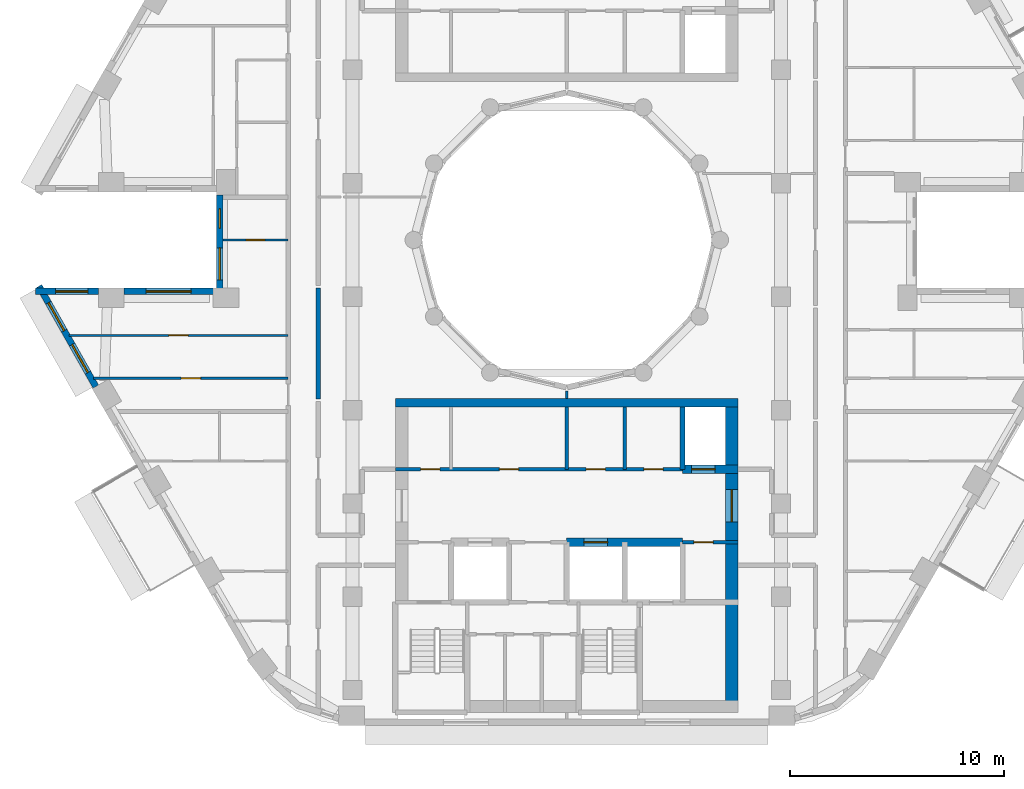
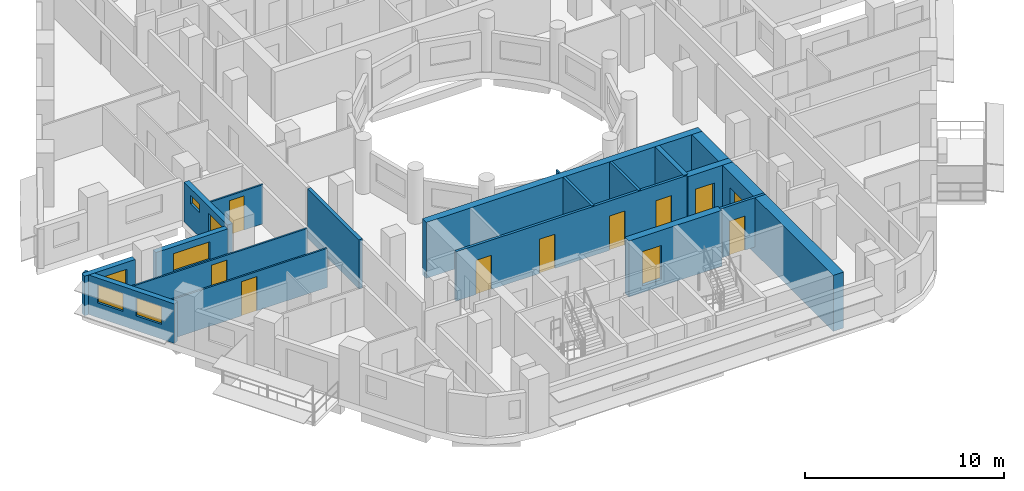
# One storey, part 4 of 18: 18 walls, 11 doors, 6 windows, 17 openings.
"""IFC4 building model written with IfcOpenShell, lengths in metres."""

from ifc_helpers import new_model, si_unit, direction, frame, frame_2d, origin, place, context, subcontext, project, spatial, rectangle, extrude, material, layer, layer_set, type_object, element, fill, save


model = new_model("IFC4")

# Units and contexts
model_context = context("Model", 3, precision=1e-05, world=origin(), true_north=direction((0.0, 1.0)))
body_context = subcontext(model_context, "Body", "Model", "MODEL_VIEW")
ifc_project = project(units=[si_unit("LENGTHUNIT", "METRE"), si_unit("AREAUNIT", "SQUARE_METRE"), si_unit("VOLUMEUNIT", "CUBIC_METRE"), si_unit("PLANEANGLEUNIT", "RADIAN"), si_unit("MASSUNIT", "GRAM", prefix="KILO")], contexts=[model_context])

# Site, building, storey
site_placement = place(None, origin())
site = spatial("IfcSite", under=ifc_project, at=site_placement, CompositionType="ELEMENT")
building_placement = place(site_placement, origin())
building = spatial("IfcBuilding", under=site, at=building_placement, Name="Nakaniwa Court", CompositionType="ELEMENT")
storey_placement = place(building_placement, frame((0.0, 0.0, 176.699951171875)))
storey = spatial("IfcBuildingStorey", under=building, at=storey_placement, Name="L45", CompositionType="ELEMENT", Elevation=176.699951171875)

# Wall
ifc_material_1 = material(Name="Acoustic double stud partition")
ifc_layer_1 = layer(ifc_material_1, 0.199951171875)
ifc_layer_set_1 = layer_set([ifc_layer_1], Name="Acoustic double stud partition")
wall_type_1 = type_object("IfcWallType", Name="Acoustic double stud partition 200", PredefinedType="PARTITIONING", material=ifc_layer_set_1)
wall_1_placement = place(storey_placement, frame((68.39990234375, 72.5771484375, 0.0), z_axis=(0.0, 0.0, 1.0), x_axis=(0.0, 1.0, 0.0)))
element("IfcWall", 1, at=wall_1_placement, inside=storey, type_object=wall_type_1, Name="Partition PW-100", PredefinedType="PARTITIONING", context=body_context, shape_type="SweptSolid", body=[
    extrude(rectangle(XDim=5.185546875, YDim=0.199951171875, at=frame_2d((2.5927734375, 0.0))), origin(), (0.0, 0.0, 1.0), 3.025146484375),
])

# Wall, openings, windows
ifc_material_2 = material(Name="Charcoal ceramic cladding")
ifc_layer_2 = layer(ifc_material_2, 0.02, Name="Ceramic cladding")
ifc_material_3 = material(Name="Ventilated air cavity")
ifc_layer_3 = layer(ifc_material_3, 0.04, ventilated=True, Name="Ventilated cavity")
ifc_material_4 = material(Name="Mineral wool insulation")
ifc_layer_4 = layer(ifc_material_4, 0.1, Name="Insulation")
ifc_material_5 = material(Name="Cement bonded sheathing board")
ifc_layer_5 = layer(ifc_material_5, 0.012, Name="Sheathing")
ifc_material_6 = material(Name="Cold-formed galvanised stud frame with mineral wool infill")
ifc_layer_6 = layer(ifc_material_6, 0.1, Name="Stud frame")
ifc_material_7 = material(Name="Fire-rated gypsum plasterboard lining")
ifc_layer_7 = layer(ifc_material_7, 0.028, Name="Lining")
ifc_layer_set_2 = layer_set([ifc_layer_2, ifc_layer_3, ifc_layer_4, ifc_layer_5, ifc_layer_6, ifc_layer_7], Name="Charcoal ceramic faced external wall system")
wall_type_2 = type_object("IfcWallType", Name="Black ceramic faced external wall 300", PredefinedType="SOLIDWALL", material=ifc_layer_set_2)
wall_2_placement = place(storey_placement, frame((63.800537109375, 82.10400390625, 0.0), z_axis=(0.0, 0.0, 1.0), x_axis=(0.0, -1.0, 0.0)))
wall_2 = element("IfcWall", 2, at=wall_2_placement, inside=storey, type_object=wall_type_2, Name="L45 external wall 17", PredefinedType="SOLIDWALL", context=body_context, shape_type="SweptSolid", body=[
    extrude(rectangle(XDim=4.35791015625, YDim=0.300048828125, at=frame_2d((2.178955078125, 0.0))), origin(), (0.0, 0.0, 1.0), 2.425048828125),
])
opening_1_placement = place(wall_2_placement, frame((0.65478515625, 0.0, 1.5)))
opening_1 = element("IfcOpeningElement", 3, at=opening_1_placement, cuts=wall_2, Name="Opening W10.17", PredefinedType="OPENING", context=body_context, shape_type="SweptSolid", body=[
    extrude(rectangle(XDim=0.89990234375, YDim=0.5, at=frame_2d((0.449951171875, 0.25))), frame((0.0, 0.159912109375, 0.0), z_axis=(0.0, -1.0, 0.0), x_axis=(1.0, 0.0, 0.0)), (0.0, 0.0, 1.0), 0.320068359375),
])
opening_2_placement = place(wall_2_placement, frame((2.469482421875, 0.0, 0.89990234375)))
opening_2 = element("IfcOpeningElement", 4, at=opening_2_placement, cuts=wall_2, Name="Opening W5.18", PredefinedType="OPENING", context=body_context, shape_type="SweptSolid", body=[
    extrude(rectangle(XDim=1.5, YDim=1.10009765625, at=frame_2d((0.75, 0.550048828125))), frame((0.0, 0.159912109375, 0.0), z_axis=(0.0, -1.0, 0.0), x_axis=(1.0, 0.0, 0.0)), (0.0, 0.0, 1.0), 0.320068359375),
])
ifc_material_8 = material(Name="Black anodised aluminium frame with dark low-E laminated double glazing", Category="aluminium")
window_type_1 = type_object("IfcWindowType", Name="Dark glass window 1500x1100 sill 900", PartitioningType="SINGLE_PANEL", PredefinedType="WINDOW", material=ifc_material_8)
window_1_placement = place(opening_2_placement, origin())
window_1 = element("IfcWindow", 5, at=window_1_placement, inside=storey, type_object=window_type_1, Name="L45 living window 17-2", OverallHeight=1.10009765625, OverallWidth=1.5, PartitioningType="SINGLE_PANEL", PredefinedType="WINDOW", context=body_context, shape_type="SweptSolid", body=[
    extrude(rectangle(XDim=1.5, YDim=1.10009765625, at=frame_2d((0.75, 0.550048828125))), frame((0.0, 0.030029296875, 0.0), z_axis=(0.0, -1.0, 0.0), x_axis=(1.0, 0.0, 0.0)), (0.0, 0.0, 1.0), 0.06005859375),
])
fill(opening_2, window_1)
window_type_2 = type_object("IfcWindowType", Name="Dark glass window 900x500 sill 1500", PartitioningType="SINGLE_PANEL", PredefinedType="WINDOW", material=ifc_material_8)
window_2_placement = place(opening_1_placement, origin())
window_2 = element("IfcWindow", 6, at=window_2_placement, inside=storey, type_object=window_type_2, Name="L45 bathroom window 17-1", OverallHeight=0.5, OverallWidth=0.89990234375, PartitioningType="SINGLE_PANEL", PredefinedType="WINDOW", context=body_context, shape_type="SweptSolid", body=[
    extrude(rectangle(XDim=0.89990234375, YDim=0.5, at=frame_2d((0.449951171875, 0.25))), frame((0.0, 0.030029296875, 0.0), z_axis=(0.0, -1.0, 0.0), x_axis=(1.0, 0.0, 0.0)), (0.0, 0.0, 1.0), 0.06005859375),
])
fill(opening_1, window_2)

# Wall, opening, window
wall_3_placement = place(storey_placement, frame((63.50439453125, 77.60009765625, 0.0), z_axis=(0.0, 0.0, 1.0), x_axis=(-1.0, 0.0, 0.0)))
wall_3 = element("IfcWall", 7, at=wall_3_placement, inside=storey, type_object=wall_type_2, Name="L45 external wall 18", PredefinedType="SOLIDWALL", context=body_context, shape_type="SweptSolid", body=[
    extrude(rectangle(XDim=4.17236328125, YDim=0.300048828125, at=frame_2d((2.086181640625, 0.0))), origin(), (0.0, 0.0, 1.0), 2.425048828125),
])
opening_3_placement = place(wall_3_placement, frame((1.036376953125, 0.0, 0.89990234375)))
opening_3 = element("IfcOpeningElement", 8, at=opening_3_placement, cuts=wall_3, Name="Opening W7.19", PredefinedType="OPENING", context=body_context, shape_type="SweptSolid", body=[
    extrude(rectangle(XDim=2.10009765625, YDim=1.10009765625, at=frame_2d((1.050048828125, 0.550048828125))), frame((0.0, 0.159912109375, 0.0), z_axis=(0.0, -1.0, 0.0), x_axis=(1.0, 0.0, 0.0)), (0.0, 0.0, 1.0), 0.320068359375),
])
window_type_3 = type_object("IfcWindowType", Name="Dark glass window 2100x1100 sill 900", PartitioningType="SINGLE_PANEL", PredefinedType="WINDOW", material=ifc_material_8)
window_3_placement = place(opening_3_placement, origin())
window_3 = element("IfcWindow", 9, at=window_3_placement, inside=storey, type_object=window_type_3, Name="L45 living window 18-0", OverallHeight=1.10009765625, OverallWidth=2.10009765625, PartitioningType="SINGLE_PANEL", PredefinedType="WINDOW", context=body_context, shape_type="SweptSolid", body=[
    extrude(rectangle(XDim=2.10009765625, YDim=1.10009765625, at=frame_2d((1.050048828125, 0.550048828125))), frame((0.0, 0.030029296875, 0.0), z_axis=(0.0, -1.0, 0.0), x_axis=(1.0, 0.0, 0.0)), (0.0, 0.0, 1.0), 0.06005859375),
])
fill(opening_3, window_3)

wall_4_placement = place(storey_placement, frame((58.139892578125, 77.60009765625, 0.0), z_axis=(0.0, 0.0, 1.0), x_axis=(-1.0, 0.0, 0.0)))
wall_4 = element("IfcWall", 10, at=wall_4_placement, inside=storey, type_object=wall_type_2, Name="L45 external wall 19", PredefinedType="SOLIDWALL", context=body_context, shape_type="SweptSolid", body=[
    extrude(rectangle(XDim=2.937744140625, YDim=0.300048828125, at=frame_2d((1.46875, 0.0))), origin(), (0.0, 0.0, 1.0), 2.425048828125),
])
opening_4_placement = place(wall_4_placement, frame((0.493896484375, 0.0, 0.89990234375)))
opening_4 = element("IfcOpeningElement", 11, at=opening_4_placement, cuts=wall_4, Name="Opening W5.20", PredefinedType="OPENING", context=body_context, shape_type="SweptSolid", body=[
    extrude(rectangle(XDim=1.5, YDim=1.10009765625, at=frame_2d((0.75, 0.550048828125))), frame((0.0, 0.159912109375, 0.0), z_axis=(0.0, -1.0, 0.0), x_axis=(1.0, 0.0, 0.0)), (0.0, 0.0, 1.0), 0.320068359375),
])
window_4_placement = place(opening_4_placement, origin())
window_4 = element("IfcWindow", 12, at=window_4_placement, inside=storey, type_object=window_type_1, Name="L45 living window 19-0", OverallHeight=1.10009765625, OverallWidth=1.5, PartitioningType="SINGLE_PANEL", PredefinedType="WINDOW", context=body_context, shape_type="SweptSolid", body=[
    extrude(rectangle(XDim=1.5, YDim=1.10009765625, at=frame_2d((0.75, 0.550048828125))), frame((0.0, 0.030029296875, 0.0), z_axis=(0.0, -1.0, 0.0), x_axis=(1.0, 0.0, 0.0)), (0.0, 0.0, 1.0), 0.06005859375),
])
fill(opening_4, window_4)

# Wall, openings, windows
wall_5_placement = place(storey_placement, frame((55.372802734375, 77.846435546875, 0.0), z_axis=(0.0, 0.0, 1.0), x_axis=(0.492033360928, -0.870576344575, 0.0)))
wall_5 = element("IfcWall", 13, at=wall_5_placement, inside=storey, type_object=wall_type_2, Name="L45 external wall 20", PredefinedType="SOLIDWALL", context=body_context, shape_type="SweptSolid", body=[
    extrude(rectangle(XDim=5.38671875, YDim=0.300048828125, at=frame_2d((2.693359375, 0.0))), origin(), (0.0, 0.0, 1.0), 2.425048828125),
])
opening_5_placement = place(wall_5_placement, frame((0.891845703125, 0.0, 0.89990234375)))
opening_5 = element("IfcOpeningElement", 14, at=opening_5_placement, cuts=wall_5, Name="Opening W5.21", PredefinedType="OPENING", context=body_context, shape_type="SweptSolid", body=[
    extrude(rectangle(XDim=1.5, YDim=1.10009765625, at=frame_2d((0.75, 0.550048828125))), frame((0.0, 0.159912109375, 0.0), z_axis=(0.0, -1.0, 0.0), x_axis=(1.0, 0.0, 0.0)), (0.0, 0.0, 1.0), 0.320068359375),
])
opening_6_placement = place(wall_5_placement, frame((3.1318359375, 0.0, 0.89990234375)))
opening_6 = element("IfcOpeningElement", 15, at=opening_6_placement, cuts=wall_5, Name="Opening W5.22", PredefinedType="OPENING", context=body_context, shape_type="SweptSolid", body=[
    extrude(rectangle(XDim=1.5, YDim=1.10009765625, at=frame_2d((0.75, 0.550048828125))), frame((0.0, 0.159912109375, 0.0), z_axis=(0.0, -1.0, 0.0), x_axis=(1.0, 0.0, 0.0)), (0.0, 0.0, 1.0), 0.320068359375),
])
window_5_placement = place(opening_5_placement, origin())
window_5 = element("IfcWindow", 16, at=window_5_placement, inside=storey, type_object=window_type_1, Name="L45 living window 20-0", OverallHeight=1.10009765625, OverallWidth=1.5, PartitioningType="SINGLE_PANEL", PredefinedType="WINDOW", context=body_context, shape_type="SweptSolid", body=[
    extrude(rectangle(XDim=1.5, YDim=1.10009765625, at=frame_2d((0.75, 0.550048828125))), frame((0.0, 0.030029296875, 0.0), z_axis=(0.0, -1.0, 0.0), x_axis=(1.0, 0.0, 0.0)), (0.0, 0.0, 1.0), 0.06005859375),
])
fill(opening_5, window_5)
window_6_placement = place(opening_6_placement, origin())
window_6 = element("IfcWindow", 17, at=window_6_placement, inside=storey, type_object=window_type_1, Name="L45 habitable room window 20-1", OverallHeight=1.10009765625, OverallWidth=1.5, PartitioningType="SINGLE_PANEL", PredefinedType="WINDOW", context=body_context, shape_type="SweptSolid", body=[
    extrude(rectangle(XDim=1.5, YDim=1.10009765625, at=frame_2d((0.75, 0.550048828125))), frame((0.0, 0.030029296875, 0.0), z_axis=(0.0, -1.0, 0.0), x_axis=(1.0, 0.0, 0.0)), (0.0, 0.0, 1.0), 0.06005859375),
])
fill(opening_6, window_6)

# Wall, openings, doors
ifc_material_9 = material(Name="Blockwork partition", Category="masonry")
ifc_layer_8 = layer(ifc_material_9, 0.14990234375)
ifc_layer_set_3 = layer_set([ifc_layer_8], Name="Blockwork partition")
wall_type_3 = type_object("IfcWallType", Name="Blockwork partition 150", PredefinedType="PARTITIONING", material=ifc_layer_set_3)
wall_6_placement = place(storey_placement, frame((72.0, 69.300048828125, 0.0), z_axis=(0.0, 0.0, 1.0), x_axis=(1.0, 0.0, 0.0)))
wall_6 = element("IfcWall", 18, at=wall_6_placement, inside=storey, type_object=wall_type_3, Name="Partition PW-037", PredefinedType="PARTITIONING", context=body_context, shape_type="SweptSolid", body=[
    extrude(rectangle(XDim=13.39990234375, YDim=0.14990234375, at=frame_2d((6.699951171875, 0.0))), origin(), (0.0, 0.0, 1.0), 3.025146484375),
])
opening_7_placement = place(wall_6_placement, frame((1.175048828125, 0.0, 0.0)))
opening_7 = element("IfcOpeningElement", 19, at=opening_7_placement, cuts=wall_6, Name="Opening D-05-09", PredefinedType="OPENING", context=body_context, shape_type="SweptSolid", body=[
    extrude(rectangle(XDim=0.89990234375, YDim=2.10009765625, at=frame_2d((0.449951171875, 1.050048828125))), frame((0.0, 0.0849609375, 0.0), z_axis=(0.0, -1.0, 0.0), x_axis=(1.0, 0.0, 0.0)), (0.0, 0.0, 1.0), 0.169921875),
])
opening_8_placement = place(wall_6_placement, frame((4.85009765625, 0.0, 0.0)))
opening_8 = element("IfcOpeningElement", 20, at=opening_8_placement, cuts=wall_6, Name="Opening D-05-10", PredefinedType="OPENING", context=body_context, shape_type="SweptSolid", body=[
    extrude(rectangle(XDim=0.89990234375, YDim=2.10009765625, at=frame_2d((0.449951171875, 1.050048828125))), frame((0.0, 0.0849609375, 0.0), z_axis=(0.0, -1.0, 0.0), x_axis=(1.0, 0.0, 0.0)), (0.0, 0.0, 1.0), 0.169921875),
])
opening_9_placement = place(wall_6_placement, frame((8.89990234375, 0.0, 0.0)))
opening_9 = element("IfcOpeningElement", 21, at=opening_9_placement, cuts=wall_6, Name="Opening D-05-11", PredefinedType="OPENING", context=body_context, shape_type="SweptSolid", body=[
    extrude(rectangle(XDim=0.89990234375, YDim=2.10009765625, at=frame_2d((0.449951171875, 1.050048828125))), frame((0.0, 0.0849609375, 0.0), z_axis=(0.0, -1.0, 0.0), x_axis=(1.0, 0.0, 0.0)), (0.0, 0.0, 1.0), 0.169921875),
])
opening_10_placement = place(wall_6_placement, frame((11.60009765625, 0.0, 0.0)))
opening_10 = element("IfcOpeningElement", 22, at=opening_10_placement, cuts=wall_6, Name="Opening D-05-12", PredefinedType="OPENING", context=body_context, shape_type="SweptSolid", body=[
    extrude(rectangle(XDim=0.89990234375, YDim=2.10009765625, at=frame_2d((0.449951171875, 1.050048828125))), frame((0.0, 0.0849609375, 0.0), z_axis=(0.0, -1.0, 0.0), x_axis=(1.0, 0.0, 0.0)), (0.0, 0.0, 1.0), 0.169921875),
])
ifc_material_10 = material(Name="Fire rated steel door set", Category="steel")
door_type_1 = type_object("IfcDoorType", Name="Service room door 900", OperationType="NOTDEFINED", PredefinedType="DOOR", material=ifc_material_10)
door_1_placement = place(opening_7_placement, origin())
door_1 = element("IfcDoor", 23, at=door_1_placement, inside=storey, type_object=door_type_1, Name="Door D-05-09 L45-014", OperationType="SINGLE_SWING_LEFT", OverallHeight=2.10009765625, OverallWidth=0.89990234375, PredefinedType="DOOR", context=body_context, shape_type="SweptSolid", body=[
    extrude(rectangle(XDim=0.89990234375, YDim=2.10009765625, at=frame_2d((0.449951171875, 1.050048828125))), frame((0.0, 0.02490234375, 0.0), z_axis=(0.0, -1.0, 0.0), x_axis=(1.0, 0.0, 0.0)), (0.0, 0.0, 1.0), 0.050048828125),
])
fill(opening_7, door_1)
door_2_placement = place(opening_8_placement, origin())
door_2 = element("IfcDoor", 24, at=door_2_placement, inside=storey, type_object=door_type_1, Name="Door D-05-10 L45-015", OperationType="SINGLE_SWING_RIGHT", OverallHeight=2.10009765625, OverallWidth=0.89990234375, PredefinedType="DOOR", context=body_context, shape_type="SweptSolid", body=[
    extrude(rectangle(XDim=0.89990234375, YDim=2.10009765625, at=frame_2d((0.449951171875, 1.050048828125))), frame((0.0, 0.02490234375, 0.0), z_axis=(0.0, -1.0, 0.0), x_axis=(1.0, 0.0, 0.0)), (0.0, 0.0, 1.0), 0.050048828125),
])
fill(opening_8, door_2)
door_3_placement = place(opening_9_placement, origin())
door_3 = element("IfcDoor", 25, at=door_3_placement, inside=storey, type_object=door_type_1, Name="Door D-05-11 L45-016", OperationType="SINGLE_SWING_LEFT", OverallHeight=2.10009765625, OverallWidth=0.89990234375, PredefinedType="DOOR", context=body_context, shape_type="SweptSolid", body=[
    extrude(rectangle(XDim=0.89990234375, YDim=2.10009765625, at=frame_2d((0.449951171875, 1.050048828125))), frame((0.0, 0.02490234375, 0.0), z_axis=(0.0, -1.0, 0.0), x_axis=(1.0, 0.0, 0.0)), (0.0, 0.0, 1.0), 0.050048828125),
])
fill(opening_9, door_3)
door_4_placement = place(opening_10_placement, origin())
door_4 = element("IfcDoor", 26, at=door_4_placement, inside=storey, type_object=door_type_1, Name="Door D-05-12 L45-017", OperationType="SINGLE_SWING_RIGHT", OverallHeight=2.10009765625, OverallWidth=0.89990234375, PredefinedType="DOOR", context=body_context, shape_type="SweptSolid", body=[
    extrude(rectangle(XDim=0.89990234375, YDim=2.10009765625, at=frame_2d((0.449951171875, 1.050048828125))), frame((0.0, 0.02490234375, 0.0), z_axis=(0.0, -1.0, 0.0), x_axis=(1.0, 0.0, 0.0)), (0.0, 0.0, 1.0), 0.050048828125),
])
fill(opening_10, door_4)

# Walls
for number, where, z_axis, x_axis, name in (
    (27, (80.0, 69.300048828125, 0.0), (0.0, 0.0, 1.0), (0.0, 1.0, 0.0), "Partition PW-043"),
    (28, (82.699951171875, 69.300048828125, 0.0), (0.0, 0.0, 1.0), (0.0, 1.0, 0.0), "Partition PW-044"),
):
    element("IfcWall", number, at=place(storey_placement, frame(where, z_axis=z_axis, x_axis=x_axis)), inside=storey, type_object=wall_type_3, Name=name, PredefinedType="PARTITIONING", context=body_context, shape_type="SweptSolid", body=[
        extrude(rectangle(XDim=2.89990234375, YDim=0.14990234375, at=frame_2d((1.449951171875, 0.0))), origin(), (0.0, 0.0, 1.0), 3.025146484375),
    ])

# Wall, opening, door
wall_7_placement = place(storey_placement, frame((88.0, 65.89990234375, 0.0), z_axis=(0.0, 0.0, 1.0), x_axis=(-1.0, 0.0, 0.0)))
wall_7 = element("IfcWall", 29, at=wall_7_placement, inside=storey, type_object=wall_type_3, Name="Partition PW-047", PredefinedType="PARTITIONING", context=body_context, shape_type="SweptSolid", body=[
    extrude(rectangle(XDim=2.60302734375, YDim=0.14990234375, at=frame_2d((1.301513671875, 0.0))), origin(), (0.0, 0.0, 1.0), 3.025146484375),
])
opening_11_placement = place(wall_7_placement, frame((1.175048828125, 0.0, 0.0)))
opening_11 = element("IfcOpeningElement", 30, at=opening_11_placement, cuts=wall_7, Name="Opening D-05-13", PredefinedType="OPENING", context=body_context, shape_type="SweptSolid", body=[
    extrude(rectangle(XDim=0.89990234375, YDim=2.10009765625, at=frame_2d((0.449951171875, 1.050048828125))), frame((0.0, 0.0849609375, 0.0), z_axis=(0.0, -1.0, 0.0), x_axis=(1.0, 0.0, 0.0)), (0.0, 0.0, 1.0), 0.169921875),
])
door_5_placement = place(opening_11_placement, origin())
door_5 = element("IfcDoor", 31, at=door_5_placement, inside=storey, type_object=door_type_1, Name="Door D-05-13 L45-020", OperationType="SINGLE_SWING_LEFT", OverallHeight=2.10009765625, OverallWidth=0.89990234375, PredefinedType="DOOR", context=body_context, shape_type="SweptSolid", body=[
    extrude(rectangle(XDim=0.89990234375, YDim=2.10009765625, at=frame_2d((0.449951171875, 1.050048828125))), frame((0.0, 0.02490234375, 0.0), z_axis=(0.0, -1.0, 0.0), x_axis=(1.0, 0.0, 0.0)), (0.0, 0.0, 1.0), 0.050048828125),
])
fill(opening_11, door_5)

ifc_material_11 = material(Name="Concrete C80/100", Category="concrete")
ifc_layer_9 = layer(ifc_material_11, 0.60009765625)
ifc_layer_set_4 = layer_set([ifc_layer_9], Name="Concrete C80/100")
wall_type_4 = type_object("IfcWallType", Name="Concrete core side wall 600 C80", PredefinedType="SHEAR", material=ifc_layer_set_4)
wall_8_placement = place(storey_placement, frame((87.699951171875, 72.199951171875, -0.409912109375), z_axis=(0.0, 0.0, 1.0), x_axis=(0.0, -1.0, 0.0)))
wall_8 = element("IfcWall", 32, at=wall_8_placement, inside=storey, type_object=wall_type_4, Name="Core wall SW-42", PredefinedType="SHEAR", context=body_context, shape_type="SweptSolid", body=[
    extrude(rectangle(XDim=14.25, YDim=0.60009765625, at=frame_2d((7.125, 0.0))), origin(), (0.0, 0.0, 1.0), 3.43505859375),
])
opening_12_placement = place(wall_8_placement, frame((3.85205078125, 0.0, 0.409912109375)))
opening_12 = element("IfcOpeningElement", 33, at=opening_12_placement, cuts=wall_8, Name="Opening D-07-03", PredefinedType="OPENING", context=body_context, shape_type="SweptSolid", body=[
    extrude(rectangle(XDim=1.5, YDim=2.10009765625, at=frame_2d((0.75, 1.050048828125))), frame((0.0, 0.31005859375, 0.0), z_axis=(0.0, -1.0, 0.0), x_axis=(1.0, 0.0, 0.0)), (0.0, 0.0, 1.0), 0.6201171875),
])
ifc_material_12 = material(Name="Glazed fire rated steel double door set", Category="steel")
door_type_2 = type_object("IfcDoorType", Name="Lobby double door 1500", OperationType="NOTDEFINED", PredefinedType="DOOR", material=ifc_material_12)
door_6_placement = place(opening_12_placement, origin())
door_6 = element("IfcDoor", 34, at=door_6_placement, inside=storey, type_object=door_type_2, Name="Door D-07-03 L45-065", OperationType="DOUBLE_DOOR_SINGLE_SWING", OverallHeight=2.10009765625, OverallWidth=1.5, PredefinedType="DOOR", context=body_context, shape_type="SweptSolid", body=[
    extrude(rectangle(XDim=1.5, YDim=2.10009765625, at=frame_2d((0.75, 1.050048828125))), frame((0.0, 0.02490234375, 0.0), z_axis=(0.0, -1.0, 0.0), x_axis=(1.0, 0.0, 0.0)), (0.0, 0.0, 1.0), 0.050048828125),
])
fill(opening_12, door_6)

ifc_layer_10 = layer(ifc_material_11, 0.39990234375)
ifc_layer_set_5 = layer_set([ifc_layer_10], Name="Concrete C80/100")
wall_type_5 = type_object("IfcWallType", Name="Concrete core spine wall 400 C80", PredefinedType="SHEAR", material=ifc_layer_set_5)
wall_9_placement = place(storey_placement, frame((85.39990234375, 69.300048828125, -0.409912109375), z_axis=(0.0, 0.0, 1.0), x_axis=(1.0, 0.0, 0.0)))
wall_9 = element("IfcWall", 35, at=wall_9_placement, inside=storey, type_object=wall_type_5, Name="Core wall SW-41", PredefinedType="SHEAR", context=body_context, shape_type="SweptSolid", body=[
    extrude(rectangle(XDim=2.60009765625, YDim=0.39990234375, at=frame_2d((1.300048828125, 0.0))), origin(), (0.0, 0.0, 1.0), 3.43505859375),
])
opening_13_placement = place(wall_9_placement, frame((0.425048828125, 0.0, 0.409912109375)))
opening_13 = element("IfcOpeningElement", 36, at=opening_13_placement, cuts=wall_9, Name="Opening LD05", PredefinedType="OPENING", context=body_context, shape_type="SweptSolid", body=[
    extrude(rectangle(XDim=1.10009765625, YDim=2.10009765625, at=frame_2d((0.550048828125, 1.050048828125))), frame((0.0, 0.2099609375, 0.0), z_axis=(0.0, -1.0, 0.0), x_axis=(1.0, 0.0, 0.0)), (0.0, 0.0, 1.0), 0.419921875),
])
ifc_material_13 = material(Name="Stainless steel sliding lift landing door", Category="steel")
door_type_3 = type_object("IfcDoorType", Name="Lift landing door 1100", OperationType="NOTDEFINED", PredefinedType="DOOR", material=ifc_material_13)
door_7_placement = place(opening_13_placement, origin())
door_7 = element("IfcDoor", 37, at=door_7_placement, inside=storey, type_object=door_type_3, Name="Lift landing door LD05 L45-005", OperationType="SLIDING_TO_LEFT", OverallHeight=2.10009765625, OverallWidth=1.10009765625, PredefinedType="DOOR", context=body_context, shape_type="SweptSolid", body=[
    extrude(rectangle(XDim=1.10009765625, YDim=2.10009765625, at=frame_2d((0.550048828125, 1.050048828125))), frame((0.0, 0.02490234375, 0.0), z_axis=(0.0, -1.0, 0.0), x_axis=(1.0, 0.0, 0.0)), (0.0, 0.0, 1.0), 0.050048828125),
])
fill(opening_13, door_7)

wall_10_placement = place(storey_placement, frame((79.9970703125, 65.89990234375, -0.409912109375), z_axis=(0.0, 0.0, 1.0), x_axis=(1.0, 0.0, 0.0)))
wall_10 = element("IfcWall", 38, at=wall_10_placement, inside=storey, type_object=wall_type_5, Name="Core wall SW-49", PredefinedType="SHEAR", context=body_context, shape_type="SweptSolid", body=[
    extrude(rectangle(XDim=5.406005859375, YDim=0.39990234375, at=frame_2d((2.703125, 0.0))), origin(), (0.0, 0.0, 1.0), 3.43505859375),
])
opening_14_placement = place(wall_10_placement, frame((0.802978515625, 0.0, 0.409912109375)))
opening_14 = element("IfcOpeningElement", 39, at=opening_14_placement, cuts=wall_10, Name="Opening LD07", PredefinedType="OPENING", context=body_context, shape_type="SweptSolid", body=[
    extrude(rectangle(XDim=1.10009765625, YDim=2.10009765625, at=frame_2d((0.550048828125, 1.050048828125))), frame((0.0, 0.2099609375, 0.0), z_axis=(0.0, -1.0, 0.0), x_axis=(1.0, 0.0, 0.0)), (0.0, 0.0, 1.0), 0.419921875),
])
door_8_placement = place(opening_14_placement, origin())
door_8 = element("IfcDoor", 40, at=door_8_placement, inside=storey, type_object=door_type_3, Name="Lift landing door LD07 L45-007", OperationType="SLIDING_TO_LEFT", OverallHeight=2.10009765625, OverallWidth=1.10009765625, PredefinedType="DOOR", context=body_context, shape_type="SweptSolid", body=[
    extrude(rectangle(XDim=1.10009765625, YDim=2.10009765625, at=frame_2d((0.550048828125, 1.050048828125))), frame((0.0, 0.02490234375, 0.0), z_axis=(0.0, -1.0, 0.0), x_axis=(1.0, 0.0, 0.0)), (0.0, 0.0, 1.0), 0.050048828125),
])
fill(opening_14, door_8)

# Walls
ifc_layer_11 = layer(ifc_material_11, 0.39990234375)
ifc_layer_set_6 = layer_set([ifc_layer_11], Name="Concrete C80/100")
wall_type_6 = type_object("IfcWallType", Name="Concrete core well wall 400 C80", PredefinedType="SHEAR", material=ifc_layer_set_6)
wall_11_placement = place(storey_placement, frame((72.00390625, 72.39990234375, -0.409912109375), z_axis=(0.0, 0.0, 1.0), x_axis=(1.0, 0.0, 0.0)))
element("IfcWall", 41, at=wall_11_placement, inside=storey, type_object=wall_type_6, Name="Core wall SW-145", PredefinedType="SHEAR", context=body_context, shape_type="SweptSolid", body=[
    extrude(rectangle(XDim=15.9921875, YDim=0.39990234375, at=frame_2d((7.99609375, 0.0))), origin(), (0.0, 0.0, 1.0), 3.43505859375),
])
ifc_layer_12 = layer(ifc_material_11, 0.25)
ifc_layer_set_7 = layer_set([ifc_layer_12], Name="Concrete C80/100")
wall_type_7 = type_object("IfcWallType", Name="Concrete shaft wall 250 C80", PredefinedType="SHEAR", material=ifc_layer_set_7)
wall_12_placement = place(storey_placement, frame((85.39990234375, 69.300048828125, -0.409912109375), z_axis=(0.0, 0.0, 1.0), x_axis=(0.0, 1.0, 0.0)))
element("IfcWall", 42, at=wall_12_placement, inside=storey, type_object=wall_type_7, Name="Core wall SW-40", PredefinedType="SHEAR", context=body_context, shape_type="SweptSolid", body=[
    extrude(rectangle(XDim=2.89990234375, YDim=0.25, at=frame_2d((1.449951171875, 0.0))), origin(), (0.0, 0.0, 1.0), 3.43505859375),
])
ifc_material_14 = material(Name="Single stud plasterboard partition")
ifc_layer_13 = layer(ifc_material_14, 0.10009765625)
ifc_layer_set_8 = layer_set([ifc_layer_13], Name="Single stud plasterboard partition")
wall_type_8 = type_object("IfcWallType", Name="Single stud plasterboard partition 100", PredefinedType="PARTITIONING", material=ifc_layer_set_8)
wall_13_placement = place(storey_placement, frame((80.0, 72.60009765625, 0.0), z_axis=(0.0, 0.0, 1.0), x_axis=(0.0, 1.0, 0.0)))
element("IfcWall", 43, at=wall_13_placement, inside=storey, type_object=wall_type_8, Name="Partition PW-110", PredefinedType="PARTITIONING", context=body_context, shape_type="SweptSolid", body=[
    extrude(rectangle(XDim=0.351806640625, YDim=0.10009765625, at=frame_2d((0.17578125, 0.0))), origin(), (0.0, 0.0, 1.0), 3.025146484375),
])

# Wall, opening, door
wall_14_placement = place(storey_placement, frame((57.916259765625, 73.550048828125, 0.0), z_axis=(0.0, 0.0, 1.0), x_axis=(1.0, 0.0, 0.0)))
wall_14 = element("IfcWall", 44, at=wall_14_placement, inside=storey, type_object=wall_type_8, Name="Partition PW-123", PredefinedType="PARTITIONING", context=body_context, shape_type="SweptSolid", body=[
    extrude(rectangle(XDim=9.082763671875, YDim=0.10009765625, at=frame_2d((4.54150390625, 0.0))), origin(), (0.0, 0.0, 1.0), 2.405029296875),
])
opening_15_placement = place(wall_14_placement, frame((4.091064453125, 0.0, 0.0)))
opening_15 = element("IfcOpeningElement", 45, at=opening_15_placement, cuts=wall_14, Name="Opening D-33-12", PredefinedType="OPENING", context=body_context, shape_type="SweptSolid", body=[
    extrude(rectangle(XDim=0.89990234375, YDim=2.10009765625, at=frame_2d((0.449951171875, 1.050048828125))), frame((0.0, 0.06005859375, 0.0), z_axis=(0.0, -1.0, 0.0), x_axis=(1.0, 0.0, 0.0)), (0.0, 0.0, 1.0), 0.1201171875),
])
ifc_material_15 = material(Name="Solid core timber door set, black veneer", Category="wood")
door_type_4 = type_object("IfcDoorType", Name="Internal door 900", OperationType="NOTDEFINED", PredefinedType="DOOR", material=ifc_material_15)
door_9_placement = place(opening_15_placement, origin())
door_9 = element("IfcDoor", 46, at=door_9_placement, inside=storey, type_object=door_type_4, Name="Door D-33-12 L45-052", OperationType="SINGLE_SWING_LEFT", OverallHeight=2.10009765625, OverallWidth=0.89990234375, PredefinedType="DOOR", context=body_context, shape_type="SweptSolid", body=[
    extrude(rectangle(XDim=0.89990234375, YDim=2.10009765625, at=frame_2d((0.449951171875, 1.050048828125))), frame((0.0, 0.02490234375, 0.0), z_axis=(0.0, -1.0, 0.0), x_axis=(1.0, 0.0, 0.0)), (0.0, 0.0, 1.0), 0.050048828125),
])
fill(opening_15, door_9)

wall_15_placement = place(storey_placement, frame((56.7607421875, 75.551025390625, 0.0), z_axis=(0.0, 0.0, 1.0), x_axis=(1.0, 0.0, 0.0)))
wall_15 = element("IfcWall", 47, at=wall_15_placement, inside=storey, type_object=wall_type_8, Name="Partition PW-136", PredefinedType="PARTITIONING", context=body_context, shape_type="SweptSolid", body=[
    extrude(rectangle(XDim=10.23828125, YDim=0.10009765625, at=frame_2d((5.119140625, 0.0))), origin(), (0.0, 0.0, 1.0), 2.405029296875),
])
opening_16_placement = place(wall_15_placement, frame((4.6689453125, 0.0, 0.0)))
opening_16 = element("IfcOpeningElement", 48, at=opening_16_placement, cuts=wall_15, Name="Opening D-33-13", PredefinedType="OPENING", context=body_context, shape_type="SweptSolid", body=[
    extrude(rectangle(XDim=0.89990234375, YDim=2.10009765625, at=frame_2d((0.449951171875, 1.050048828125))), frame((0.0, 0.06005859375, 0.0), z_axis=(0.0, -1.0, 0.0), x_axis=(1.0, 0.0, 0.0)), (0.0, 0.0, 1.0), 0.1201171875),
])
door_10_placement = place(opening_16_placement, origin())
door_10 = element("IfcDoor", 49, at=door_10_placement, inside=storey, type_object=door_type_4, Name="Door D-33-13 L45-053", OperationType="SINGLE_SWING_RIGHT", OverallHeight=2.10009765625, OverallWidth=0.89990234375, PredefinedType="DOOR", context=body_context, shape_type="SweptSolid", body=[
    extrude(rectangle(XDim=0.89990234375, YDim=2.10009765625, at=frame_2d((0.449951171875, 1.050048828125))), frame((0.0, 0.02490234375, 0.0), z_axis=(0.0, -1.0, 0.0), x_axis=(1.0, 0.0, 0.0)), (0.0, 0.0, 1.0), 0.050048828125),
])
fill(opening_16, door_10)

wall_16_placement = place(storey_placement, frame((63.950439453125, 79.9990234375, 0.0), z_axis=(0.0, 0.0, 1.0), x_axis=(1.0, 0.0, 0.0)))
wall_16 = element("IfcWall", 50, at=wall_16_placement, inside=storey, type_object=wall_type_8, Name="Partition PW-137", PredefinedType="PARTITIONING", context=body_context, shape_type="SweptSolid", body=[
    extrude(rectangle(XDim=3.048583984375, YDim=0.10009765625, at=frame_2d((1.5244140625, 0.0))), origin(), (0.0, 0.0, 1.0), 2.405029296875),
])
opening_17_placement = place(wall_16_placement, frame((1.09912109375, 0.0, 0.0)))
opening_17 = element("IfcOpeningElement", 51, at=opening_17_placement, cuts=wall_16, Name="Opening D-03-05", PredefinedType="OPENING", context=body_context, shape_type="SweptSolid", body=[
    extrude(rectangle(XDim=0.85009765625, YDim=2.10009765625, at=frame_2d((0.425048828125, 1.050048828125))), frame((0.0, 0.06005859375, 0.0), z_axis=(0.0, -1.0, 0.0), x_axis=(1.0, 0.0, 0.0)), (0.0, 0.0, 1.0), 0.1201171875),
])
ifc_material_16 = material(Name="Moisture sealed timber door set", Category="wood")
door_type_5 = type_object("IfcDoorType", Name="Bathroom door 850", OperationType="NOTDEFINED", PredefinedType="DOOR", material=ifc_material_16)
door_11_placement = place(opening_17_placement, origin())
door_11 = element("IfcDoor", 52, at=door_11_placement, inside=storey, type_object=door_type_5, Name="Door D-03-05 L45-054", OperationType="SINGLE_SWING_LEFT", OverallHeight=2.10009765625, OverallWidth=0.85009765625, PredefinedType="DOOR", context=body_context, shape_type="SweptSolid", body=[
    extrude(rectangle(XDim=0.85009765625, YDim=2.10009765625, at=frame_2d((0.425048828125, 1.050048828125))), frame((0.0, 0.02490234375, 0.0), z_axis=(0.0, -1.0, 0.0), x_axis=(1.0, 0.0, 0.0)), (0.0, 0.0, 1.0), 0.050048828125),
])
fill(opening_17, door_11)

save(model, "model.ifc")
